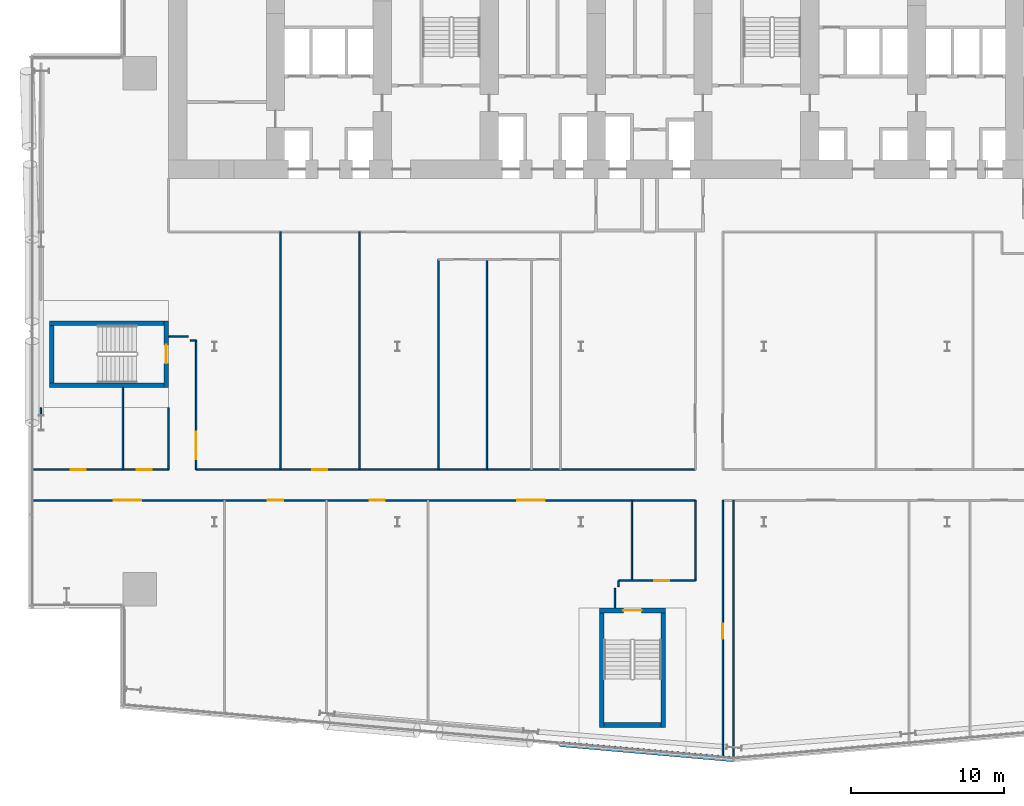
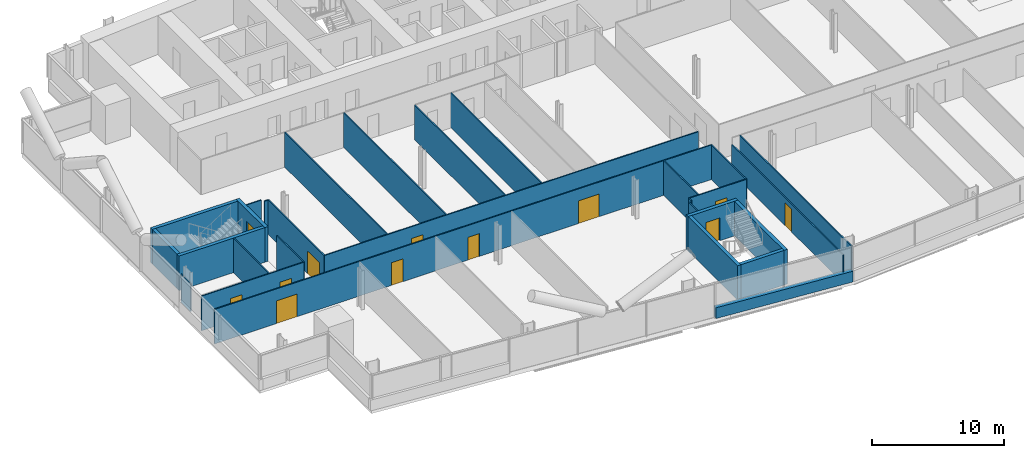
# One storey, part 13 of 27: 29 walls, 12 doors, 12 openings.
"""IFC4 building model written with IfcOpenShell, lengths in metres."""

from ifc_helpers import new_model, si_unit, direction, frame, frame_2d, origin, place, context, subcontext, project, spatial, rectangle, extrude, material, layer, layer_set, type_object, element, fill, save


model = new_model("IFC4")

# Units and contexts
model_context = context("Model", 3, precision=1e-05, world=origin(), true_north=direction((0.0, 1.0)))
body_context = subcontext(model_context, "Body", "Model", "MODEL_VIEW")
ifc_project = project(units=[si_unit("LENGTHUNIT", "METRE"), si_unit("AREAUNIT", "SQUARE_METRE"), si_unit("VOLUMEUNIT", "CUBIC_METRE"), si_unit("PLANEANGLEUNIT", "RADIAN"), si_unit("MASSUNIT", "GRAM", prefix="KILO")], contexts=[model_context])

# Site, building, storey
site_placement = place(None, origin())
site = spatial("IfcSite", under=ifc_project, at=site_placement, CompositionType="ELEMENT")
building_placement = place(site_placement, origin())
building = spatial("IfcBuilding", under=site, at=building_placement, Name="Wharfspan Tower", CompositionType="ELEMENT")
storey_placement = place(building_placement, frame((0.0, 0.0, 84.699951)))
storey = spatial("IfcBuildingStorey", under=building, at=storey_placement, Name="L18", CompositionType="ELEMENT", Elevation=84.699951)

# Wall, openings, doors
ifc_material_1 = material(Name="Gypsum board on steel studs", Category="steel")
ifc_layer_1 = layer(ifc_material_1, 0.100098)
ifc_layer_set_1 = layer_set([ifc_layer_1], Name="Gypsum board on steel studs")
wall_type_1 = type_object("IfcWallType", Name="Compartment wall 100 EI 60", PredefinedType="PARTITIONING", material=ifc_layer_set_1)
wall_1_placement = place(storey_placement, frame((0.02002, 12.925049, 0.0), z_axis=(0.0, 0.0, 1.0), x_axis=(1.0, 0.0, 0.0)))
wall_1 = element("IfcWall", 1, at=wall_1_placement, inside=storey, type_object=wall_type_1, Name="Partition L18.w001", PredefinedType="PARTITIONING", context=body_context, shape_type="SweptSolid", body=[
    extrude(rectangle(XDim=43.47998, YDim=0.100098, at=frame_2d((21.73999, 0.0))), origin(), (0.0, 0.0, 1.0), 3.199951),
])
opening_1_placement = place(wall_1_placement, frame((5.405029, 0.0, 0.0)))
opening_1 = element("IfcOpeningElement", 2, at=opening_1_placement, cuts=wall_1, Name="Opening A5-03", PredefinedType="OPENING", context=body_context, shape_type="SweptSolid", body=[
    extrude(rectangle(XDim=1.800049, YDim=2.100098, at=frame_2d((0.899902, 1.050049))), frame((0.0, 0.060059, 0.0), z_axis=(0.0, -1.0, 0.0), x_axis=(1.0, 0.0, 0.0)), (0.0, 0.0, 1.0), 0.120117),
])
opening_2_placement = place(wall_1_placement, frame((15.475098, 0.0, 0.0)))
opening_2 = element("IfcOpeningElement", 3, at=opening_2_placement, cuts=wall_1, Name="Opening A5-04", PredefinedType="OPENING", context=body_context, shape_type="SweptSolid", body=[
    extrude(rectangle(XDim=1.0, YDim=2.100098, at=frame_2d((0.5, 1.050049))), frame((0.0, 0.060059, 0.0), z_axis=(0.0, -1.0, 0.0), x_axis=(1.0, 0.0, 0.0)), (0.0, 0.0, 1.0), 0.120117),
])
opening_3_placement = place(wall_1_placement, frame((22.139893, 0.0, 0.0)))
opening_3 = element("IfcOpeningElement", 4, at=opening_3_placement, cuts=wall_1, Name="Opening A5-05", PredefinedType="OPENING", context=body_context, shape_type="SweptSolid", body=[
    extrude(rectangle(XDim=1.0, YDim=2.100098, at=frame_2d((0.5, 1.050049))), frame((0.0, 0.060059, 0.0), z_axis=(0.0, -1.0, 0.0), x_axis=(1.0, 0.0, 0.0)), (0.0, 0.0, 1.0), 0.120117),
])
opening_4_placement = place(wall_1_placement, frame((31.804932, 0.0, 0.0)))
opening_4 = element("IfcOpeningElement", 5, at=opening_4_placement, cuts=wall_1, Name="Opening A5-06", PredefinedType="OPENING", context=body_context, shape_type="SweptSolid", body=[
    extrude(rectangle(XDim=1.800049, YDim=2.100098, at=frame_2d((0.899902, 1.050049))), frame((0.0, 0.060059, 0.0), z_axis=(0.0, -1.0, 0.0), x_axis=(1.0, 0.0, 0.0)), (0.0, 0.0, 1.0), 0.120117),
])
ifc_material_2 = material(Name="Fire-rated timber door leaf in steel frame", Category="steel")
door_type_1 = type_object("IfcDoorType", Name="Door 1000 FD30S Left", OperationType="SINGLE_SWING_LEFT", PredefinedType="DOOR", material=ifc_material_2)
door_1_placement = place(opening_2_placement, origin())
door_1 = element("IfcDoor", 6, at=door_1_placement, inside=storey, type_object=door_type_1, Name="Door A5-04", OperationType="SINGLE_SWING_LEFT", OverallHeight=2.100098, OverallWidth=1.0, PredefinedType="DOOR", context=body_context, shape_type="SweptSolid", body=[
    extrude(rectangle(XDim=1.0, YDim=2.100098, at=frame_2d((0.5, 1.050049))), frame((0.0, 0.024902, 0.0), z_axis=(0.0, -1.0, 0.0), x_axis=(1.0, 0.0, 0.0)), (0.0, 0.0, 1.0), 0.050049),
])
fill(opening_2, door_1)
door_type_2 = type_object("IfcDoorType", Name="Door 1000 FD30S Right", OperationType="SINGLE_SWING_RIGHT", PredefinedType="DOOR", material=ifc_material_2)
door_2_placement = place(opening_3_placement, origin())
door_2 = element("IfcDoor", 7, at=door_2_placement, inside=storey, type_object=door_type_2, Name="Door A5-05", OperationType="SINGLE_SWING_RIGHT", OverallHeight=2.100098, OverallWidth=1.0, PredefinedType="DOOR", context=body_context, shape_type="SweptSolid", body=[
    extrude(rectangle(XDim=1.0, YDim=2.100098, at=frame_2d((0.5, 1.050049))), frame((0.0, 0.024902, 0.0), z_axis=(0.0, -1.0, 0.0), x_axis=(1.0, 0.0, 0.0)), (0.0, 0.0, 1.0), 0.050049),
])
fill(opening_3, door_2)
door_type_3 = type_object("IfcDoorType", Name="Door 1800 FD30S Double", OperationType="DOUBLE_DOOR_SINGLE_SWING", PredefinedType="DOOR", material=ifc_material_2)
door_3_placement = place(opening_1_placement, origin())
door_3 = element("IfcDoor", 8, at=door_3_placement, inside=storey, type_object=door_type_3, Name="Door A5-03", OperationType="DOUBLE_DOOR_SINGLE_SWING", OverallHeight=2.100098, OverallWidth=1.800049, PredefinedType="DOOR", context=body_context, shape_type="SweptSolid", body=[
    extrude(rectangle(XDim=1.800049, YDim=2.100098, at=frame_2d((0.899902, 1.050049))), frame((0.0, 0.024902, 0.0), z_axis=(0.0, -1.0, 0.0), x_axis=(1.0, 0.0, 0.0)), (0.0, 0.0, 1.0), 0.050049),
])
fill(opening_1, door_3)
door_4_placement = place(opening_4_placement, origin())
door_4 = element("IfcDoor", 9, at=door_4_placement, inside=storey, type_object=door_type_3, Name="Door A5-06", OperationType="DOUBLE_DOOR_SINGLE_SWING", OverallHeight=2.100098, OverallWidth=1.800049, PredefinedType="DOOR", context=body_context, shape_type="SweptSolid", body=[
    extrude(rectangle(XDim=1.800049, YDim=2.100098, at=frame_2d((0.899902, 1.050049))), frame((0.0, 0.024902, 0.0), z_axis=(0.0, -1.0, 0.0), x_axis=(1.0, 0.0, 0.0)), (0.0, 0.0, 1.0), 0.050049),
])
fill(opening_4, door_4)

wall_2_placement = place(storey_placement, frame((0.02002, 14.929932, 0.0), z_axis=(0.0, 0.0, 1.0), x_axis=(1.0, 0.0, 0.0)))
wall_2 = element("IfcWall", 10, at=wall_2_placement, inside=storey, type_object=wall_type_1, Name="Partition L18.w002", PredefinedType="PARTITIONING", context=body_context, shape_type="SweptSolid", body=[
    extrude(rectangle(XDim=8.97998, YDim=0.100098, at=frame_2d((4.48999, 0.0))), origin(), (0.0, 0.0, 1.0), 3.199951),
])
opening_5_placement = place(wall_2_placement, frame((2.560059, 0.0, 0.0)))
opening_5 = element("IfcOpeningElement", 11, at=opening_5_placement, cuts=wall_2, Name="Opening A5-12", PredefinedType="OPENING", context=body_context, shape_type="SweptSolid", body=[
    extrude(rectangle(XDim=1.0, YDim=2.100098, at=frame_2d((0.5, 1.050049))), frame((0.0, 0.060059, 0.0), z_axis=(0.0, -1.0, 0.0), x_axis=(1.0, 0.0, 0.0)), (0.0, 0.0, 1.0), 0.120117),
])
opening_6_placement = place(wall_2_placement, frame((6.879883, 0.0, 0.0)))
opening_6 = element("IfcOpeningElement", 12, at=opening_6_placement, cuts=wall_2, Name="Opening A5-13", PredefinedType="OPENING", context=body_context, shape_type="SweptSolid", body=[
    extrude(rectangle(XDim=1.0, YDim=2.100098, at=frame_2d((0.5, 1.050049))), frame((0.0, 0.060059, 0.0), z_axis=(0.0, -1.0, 0.0), x_axis=(1.0, 0.0, 0.0)), (0.0, 0.0, 1.0), 0.120117),
])
door_5_placement = place(opening_5_placement, origin())
door_5 = element("IfcDoor", 13, at=door_5_placement, inside=storey, type_object=door_type_1, Name="Door A5-12", OperationType="SINGLE_SWING_LEFT", OverallHeight=2.100098, OverallWidth=1.0, PredefinedType="DOOR", context=body_context, shape_type="SweptSolid", body=[
    extrude(rectangle(XDim=1.0, YDim=2.100098, at=frame_2d((0.5, 1.050049))), frame((0.0, 0.024902, 0.0), z_axis=(0.0, -1.0, 0.0), x_axis=(1.0, 0.0, 0.0)), (0.0, 0.0, 1.0), 0.050049),
])
fill(opening_5, door_5)
door_6_placement = place(opening_6_placement, origin())
door_6 = element("IfcDoor", 14, at=door_6_placement, inside=storey, type_object=door_type_2, Name="Door A5-13", OperationType="SINGLE_SWING_RIGHT", OverallHeight=2.100098, OverallWidth=1.0, PredefinedType="DOOR", context=body_context, shape_type="SweptSolid", body=[
    extrude(rectangle(XDim=1.0, YDim=2.100098, at=frame_2d((0.5, 1.050049))), frame((0.0, 0.024902, 0.0), z_axis=(0.0, -1.0, 0.0), x_axis=(1.0, 0.0, 0.0)), (0.0, 0.0, 1.0), 0.050049),
])
fill(opening_6, door_6)

# Walls
wall_3_placement = place(storey_placement, frame((6.0, 14.929932, 0.0), z_axis=(0.0, 0.0, 1.0), x_axis=(0.0, 1.0, 0.0)))
element("IfcWall", 15, at=wall_3_placement, inside=storey, type_object=wall_type_1, Name="Partition L18.w006", PredefinedType="PARTITIONING", context=body_context, shape_type="SweptSolid", body=[
    extrude(rectangle(XDim=5.39502, YDim=0.100098, at=frame_2d((2.69751, 0.0))), origin(), (0.0, 0.0, 1.0), 3.199951),
])
wall_4_placement = place(storey_placement, frame((9.0, 14.929932, 0.0), z_axis=(0.0, 0.0, 1.0), x_axis=(0.0, 1.0, 0.0)))
element("IfcWall", 16, at=wall_4_placement, inside=storey, type_object=wall_type_1, Name="Partition L18.w007", PredefinedType="PARTITIONING", context=body_context, shape_type="SweptSolid", body=[
    extrude(rectangle(XDim=4.050049, YDim=0.100098, at=frame_2d((2.024902, 0.0))), origin(), (0.0, 0.0, 1.0), 3.199951),
])
wall_5_placement = place(storey_placement, frame((9.02002, 23.649902, 0.0), z_axis=(0.0, 0.0, 1.0), x_axis=(1.0, 0.0, 0.0)))
element("IfcWall", 17, at=wall_5_placement, inside=storey, type_object=wall_type_1, Name="Partition L18.w010", PredefinedType="PARTITIONING", context=body_context, shape_type="SweptSolid", body=[
    extrude(rectangle(XDim=1.280029, YDim=0.100098, at=frame_2d((0.640137, 0.0))), origin(), (0.0, 0.0, 1.0), 3.199951),
])
wall_6_placement = place(storey_placement, frame((10.419922, 23.399902, 0.0), z_axis=(0.0, 0.0, 1.0), x_axis=(1.0, 0.0, 0.0)))
element("IfcWall", 18, at=wall_6_placement, inside=storey, type_object=wall_type_1, Name="Partition L18.w011", PredefinedType="PARTITIONING", context=body_context, shape_type="SweptSolid", body=[
    extrude(rectangle(XDim=0.380127, YDim=0.100098, at=frame_2d((0.189941, 0.0))), origin(), (0.0, 0.0, 1.0), 3.199951),
])

# Wall, opening, door
wall_7_placement = place(storey_placement, frame((10.800049, 14.929932, 0.0), z_axis=(0.0, 0.0, 1.0), x_axis=(0.0, 1.0, 0.0)))
wall_7 = element("IfcWall", 19, at=wall_7_placement, inside=storey, type_object=wall_type_1, Name="Partition L18.w012", PredefinedType="PARTITIONING", context=body_context, shape_type="SweptSolid", body=[
    extrude(rectangle(XDim=8.469971, YDim=0.100098, at=frame_2d((4.234863, 0.0))), origin(), (0.0, 0.0, 1.0), 3.199951),
])
opening_7_placement = place(wall_7_placement, frame((0.685059, 0.0, 0.0)))
opening_7 = element("IfcOpeningElement", 20, at=opening_7_placement, cuts=wall_7, Name="Opening A5-18", PredefinedType="OPENING", context=body_context, shape_type="SweptSolid", body=[
    extrude(rectangle(XDim=1.800049, YDim=2.100098, at=frame_2d((0.899902, 1.050049))), frame((0.0, 0.060059, 0.0), z_axis=(0.0, -1.0, 0.0), x_axis=(1.0, 0.0, 0.0)), (0.0, 0.0, 1.0), 0.120117),
])
door_7_placement = place(opening_7_placement, origin())
door_7 = element("IfcDoor", 21, at=door_7_placement, inside=storey, type_object=door_type_3, Name="Door A5-18", OperationType="DOUBLE_DOOR_SINGLE_SWING", OverallHeight=2.100098, OverallWidth=1.800049, PredefinedType="DOOR", context=body_context, shape_type="SweptSolid", body=[
    extrude(rectangle(XDim=1.800049, YDim=2.100098, at=frame_2d((0.899902, 1.050049))), frame((0.0, 0.024902, 0.0), z_axis=(0.0, -1.0, 0.0), x_axis=(1.0, 0.0, 0.0)), (0.0, 0.0, 1.0), 0.050049),
])
fill(opening_7, door_7)

wall_8_placement = place(storey_placement, frame((10.800049, 14.929932, 0.0), z_axis=(0.0, 0.0, 1.0), x_axis=(1.0, 0.0, 0.0)))
wall_8 = element("IfcWall", 22, at=wall_8_placement, inside=storey, type_object=wall_type_1, Name="Partition L18.w013", PredefinedType="PARTITIONING", context=body_context, shape_type="SweptSolid", body=[
    extrude(rectangle(XDim=32.699951, YDim=0.100098, at=frame_2d((16.350098, 0.0))), origin(), (0.0, 0.0, 1.0), 3.199951),
])
opening_8_placement = place(wall_8_placement, frame((7.600098, 0.0, 0.0)))
opening_8 = element("IfcOpeningElement", 23, at=opening_8_placement, cuts=wall_8, Name="Opening A5-14", PredefinedType="OPENING", context=body_context, shape_type="SweptSolid", body=[
    extrude(rectangle(XDim=1.0, YDim=2.100098, at=frame_2d((0.5, 1.050049))), frame((0.0, 0.060059, 0.0), z_axis=(0.0, -1.0, 0.0), x_axis=(1.0, 0.0, 0.0)), (0.0, 0.0, 1.0), 0.120117),
])
door_8_placement = place(opening_8_placement, origin())
door_8 = element("IfcDoor", 24, at=door_8_placement, inside=storey, type_object=door_type_1, Name="Door A5-14", OperationType="SINGLE_SWING_LEFT", OverallHeight=2.100098, OverallWidth=1.0, PredefinedType="DOOR", context=body_context, shape_type="SweptSolid", body=[
    extrude(rectangle(XDim=1.0, YDim=2.100098, at=frame_2d((0.5, 1.050049))), frame((0.0, 0.024902, 0.0), z_axis=(0.0, -1.0, 0.0), x_axis=(1.0, 0.0, 0.0)), (0.0, 0.0, 1.0), 0.050049),
])
fill(opening_8, door_8)

# Walls
for number, where, z_axis, x_axis, name in (
    (25, (16.334961, 14.929932, 0.0), (0.0, 0.0, 1.0), (0.0, 1.0, 0.0), "Partition L18.w015"),
    (26, (21.5, 14.929932, 0.0), (0.0, 0.0, 1.0), (0.0, 1.0, 0.0), "Partition L18.w017"),
):
    element("IfcWall", number, at=place(storey_placement, frame(where, z_axis=z_axis, x_axis=x_axis)), inside=storey, type_object=wall_type_1, Name=name, PredefinedType="PARTITIONING", context=body_context, shape_type="SweptSolid", body=[
        extrude(rectangle(XDim=15.570068, YDim=0.100098, at=frame_2d((7.785156, 0.0))), origin(), (0.0, 0.0, 1.0), 3.199951),
    ])
for number, where, z_axis, x_axis, name in (
    (27, (26.665039, 14.929932, 0.0), (0.0, 0.0, 1.0), (0.0, 1.0, 0.0), "Partition L18.w019"),
    (28, (29.840088, 14.929932, 0.0), (0.0, 0.0, 1.0), (0.0, 1.0, 0.0), "Partition L18.w021"),
):
    element("IfcWall", number, at=place(storey_placement, frame(where, z_axis=z_axis, x_axis=x_axis)), inside=storey, type_object=wall_type_1, Name=name, PredefinedType="PARTITIONING", context=body_context, shape_type="SweptSolid", body=[
        extrude(rectangle(XDim=13.77002, YDim=0.100098, at=frame_2d((6.88501, 0.0))), origin(), (0.0, 0.0, 1.0), 3.199951),
    ])
wall_9_placement = place(storey_placement, frame((38.22998, 5.880615, 0.0), z_axis=(0.0, 0.0, 1.0), x_axis=(0.0, 1.0, 0.0)))
element("IfcWall", 29, at=wall_9_placement, inside=storey, type_object=wall_type_1, Name="Partition L18.w025", PredefinedType="PARTITIONING", context=body_context, shape_type="SweptSolid", body=[
    extrude(rectangle(XDim=1.279297, YDim=0.100098, at=frame_2d((0.639648, 0.0))), origin(), (0.0, 0.0, 1.0), 3.199951),
])
wall_10_placement = place(storey_placement, frame((38.47998, 7.280029, 0.0), z_axis=(0.0, 0.0, 1.0), x_axis=(0.0, 1.0, 0.0)))
element("IfcWall", 30, at=wall_10_placement, inside=storey, type_object=wall_type_1, Name="Partition L18.w026", PredefinedType="PARTITIONING", context=body_context, shape_type="SweptSolid", body=[
    extrude(rectangle(XDim=0.379883, YDim=0.100098, at=frame_2d((0.189941, 0.0))), origin(), (0.0, 0.0, 1.0), 3.199951),
])

# Wall, opening, door
wall_11_placement = place(storey_placement, frame((38.485107, 7.659912, 0.0), z_axis=(0.0, 0.0, 1.0), x_axis=(1.0, 0.0, 0.0)))
wall_11 = element("IfcWall", 31, at=wall_11_placement, inside=storey, type_object=wall_type_1, Name="Partition L18.w027", PredefinedType="PARTITIONING", context=body_context, shape_type="SweptSolid", body=[
    extrude(rectangle(XDim=5.014893, YDim=0.100098, at=frame_2d((2.507324, 0.0))), origin(), (0.0, 0.0, 1.0), 3.199951),
])
opening_9_placement = place(wall_11_placement, frame((2.314941, 0.0, 0.0)))
opening_9 = element("IfcOpeningElement", 32, at=opening_9_placement, cuts=wall_11, Name="Opening A5-02", PredefinedType="OPENING", context=body_context, shape_type="SweptSolid", body=[
    extrude(rectangle(XDim=1.0, YDim=2.100098, at=frame_2d((0.5, 1.050049))), frame((0.0, 0.060059, 0.0), z_axis=(0.0, -1.0, 0.0), x_axis=(1.0, 0.0, 0.0)), (0.0, 0.0, 1.0), 0.120117),
])
door_9_placement = place(opening_9_placement, origin())
door_9 = element("IfcDoor", 33, at=door_9_placement, inside=storey, type_object=door_type_2, Name="Door A5-02", OperationType="SINGLE_SWING_RIGHT", OverallHeight=2.100098, OverallWidth=1.0, PredefinedType="DOOR", context=body_context, shape_type="SweptSolid", body=[
    extrude(rectangle(XDim=1.0, YDim=2.100098, at=frame_2d((0.5, 1.050049))), frame((0.0, 0.024902, 0.0), z_axis=(0.0, -1.0, 0.0), x_axis=(1.0, 0.0, 0.0)), (0.0, 0.0, 1.0), 0.050049),
])
fill(opening_9, door_9)

# Walls
for number, where, z_axis, x_axis, name in (
    (34, (39.334961, 7.659912, 0.0), (0.0, 0.0, 1.0), (0.0, 1.0, 0.0), "Partition L18.w028"),
    (35, (43.5, 7.659912, 0.0), (0.0, 0.0, 1.0), (0.0, 1.0, 0.0), "Partition L18.w029"),
):
    element("IfcWall", number, at=place(storey_placement, frame(where, z_axis=z_axis, x_axis=x_axis)), inside=storey, type_object=wall_type_1, Name=name, PredefinedType="PARTITIONING", context=body_context, shape_type="SweptSolid", body=[
        extrude(rectangle(XDim=5.265137, YDim=0.100098, at=frame_2d((2.632568, 0.0))), origin(), (0.0, 0.0, 1.0), 3.199951),
    ])

# Wall, opening, door
wall_12_placement = place(storey_placement, frame((45.300049, -3.943115, 0.0), z_axis=(0.0, 0.0, 1.0), x_axis=(0.0, 1.0, 0.0)))
wall_12 = element("IfcWall", 36, at=wall_12_placement, inside=storey, type_object=wall_type_1, Name="Partition L18.w031", PredefinedType="PARTITIONING", context=body_context, shape_type="SweptSolid", body=[
    extrude(rectangle(XDim=16.868164, YDim=0.100098, at=frame_2d((8.434082, 0.0))), origin(), (0.0, 0.0, 1.0), 2.580078),
])
opening_10_placement = place(wall_12_placement, frame((7.798096, 0.0, 0.0)))
opening_10 = element("IfcOpeningElement", 37, at=opening_10_placement, cuts=wall_12, Name="Opening A5-01", PredefinedType="OPENING", context=body_context, shape_type="SweptSolid", body=[
    extrude(rectangle(XDim=1.0, YDim=2.100098, at=frame_2d((0.5, 1.050049))), frame((0.0, 0.060059, 0.0), z_axis=(0.0, -1.0, 0.0), x_axis=(1.0, 0.0, 0.0)), (0.0, 0.0, 1.0), 0.120117),
])
door_10_placement = place(opening_10_placement, origin())
door_10 = element("IfcDoor", 38, at=door_10_placement, inside=storey, type_object=door_type_1, Name="Door A5-01", OperationType="SINGLE_SWING_LEFT", OverallHeight=2.100098, OverallWidth=1.0, PredefinedType="DOOR", context=body_context, shape_type="SweptSolid", body=[
    extrude(rectangle(XDim=1.0, YDim=2.100098, at=frame_2d((0.5, 1.050049))), frame((0.0, 0.024902, 0.0), z_axis=(0.0, -1.0, 0.0), x_axis=(1.0, 0.0, 0.0)), (0.0, 0.0, 1.0), 0.050049),
])
fill(opening_10, door_10)

# Walls
wall_13_placement = place(storey_placement, frame((46.0, -4.004395, 0.0), z_axis=(0.0, 0.0, 1.0), x_axis=(0.0, 1.0, 0.0)))
element("IfcWall", 39, at=wall_13_placement, inside=storey, type_object=wall_type_1, Name="Partition L18.w036", PredefinedType="PARTITIONING", context=body_context, shape_type="SweptSolid", body=[
    extrude(rectangle(XDim=16.929443, YDim=0.100098, at=frame_2d((8.464844, 0.0))), origin(), (0.0, 0.0, 1.0), 3.199951),
])
ifc_layer_2 = layer(ifc_material_1, 0.100098)
ifc_layer_set_2 = layer_set([ifc_layer_2], Name="Gypsum board on steel studs")
wall_type_2 = type_object("IfcWallType", Name="Partition 100", PredefinedType="PARTITIONING", material=ifc_layer_set_2)
wall_14_placement = place(storey_placement, frame((0.629883, 17.5, 0.0), z_axis=(0.0, 0.0, 1.0), x_axis=(0.0, 1.0, 0.0)))
element("IfcWall", 40, at=wall_14_placement, inside=storey, type_object=wall_type_2, Name="Partition L18.w003", PredefinedType="PARTITIONING", context=body_context, shape_type="SweptSolid", body=[
    extrude(rectangle(XDim=1.47998, YDim=0.100098, at=frame_2d((0.73999, 0.0))), origin(), (0.0, 0.0, 1.0), 2.580078),
])
ifc_material_3 = material(Name="Concrete C40/50", Category="concrete")
ifc_layer_3 = layer(ifc_material_3, 0.350098)
ifc_layer_set_3 = layer_set([ifc_layer_3], Name="Concrete C40/50")
wall_type_3 = type_object("IfcWallType", Name="SPANDREL EXPOSED CONCRETE 350", PredefinedType="SOLIDWALL", material=ifc_layer_set_3)
wall_15_placement = place(storey_placement, frame((34.60083, -3.032227, 0.0), z_axis=(0.0, 0.0, 1.0), x_axis=(0.996193, -0.087148, 0.0)))
element("IfcWall", 41, at=wall_15_placement, inside=storey, type_object=wall_type_3, Name="Spandrel upstand L18 S1 2", PredefinedType="SOLIDWALL", context=body_context, shape_type="SweptSolid", body=[
    extrude(rectangle(XDim=11.458008, YDim=0.350098, at=frame_2d((5.729004, 0.0))), origin(), (0.0, 0.0, 1.0), 1.0),
])

# Wall, opening, door
ifc_layer_4 = layer(ifc_material_3, 0.300049)
ifc_layer_set_4 = layer_set([ifc_layer_4], Name="Concrete C40/50")
wall_type_4 = type_object("IfcWallType", Name="Stair core wall 300", PredefinedType="SHEAR", material=ifc_layer_set_4)
wall_16_placement = place(storey_placement, frame((8.850098, 20.324951, 0.0), z_axis=(0.0, 0.0, 1.0), x_axis=(0.0, 1.0, 0.0)))
wall_16 = element("IfcWall", 42, at=wall_16_placement, inside=storey, type_object=wall_type_4, Name="ST3 stair enclosure wall L18", PredefinedType="SHEAR", context=body_context, shape_type="SweptSolid", body=[
    extrude(rectangle(XDim=4.350098, YDim=0.300049, at=frame_2d((2.175049, 0.0))), origin(), (0.0, 0.0, 1.0), 3.199951),
])
opening_11_placement = place(wall_16_placement, frame((1.574951, 0.0, 0.0)))
opening_11 = element("IfcOpeningElement", 43, at=opening_11_placement, cuts=wall_16, Name="Opening SD3.L18", PredefinedType="OPENING", context=body_context, shape_type="SweptSolid", body=[
    extrude(rectangle(XDim=1.199951, YDim=2.100098, at=frame_2d((0.600098, 1.050049))), frame((0.0, 0.159912, 0.0), z_axis=(0.0, -1.0, 0.0), x_axis=(1.0, 0.0, 0.0)), (0.0, 0.0, 1.0), 0.320068),
])
ifc_material_4 = material(Name="Steel door leaf", Category="steel")
door_type_4 = type_object("IfcDoorType", Name="Stair door 1200x2100", OperationType="SINGLE_SWING_LEFT", PredefinedType="DOOR", material=ifc_material_4)
door_11_placement = place(opening_11_placement, origin())
door_11 = element("IfcDoor", 44, at=door_11_placement, inside=storey, type_object=door_type_4, Name="sd:L18:ST3z1", OperationType="SINGLE_SWING_RIGHT", OverallHeight=2.100098, OverallWidth=1.199951, PredefinedType="DOOR", context=body_context, shape_type="SweptSolid", body=[
    extrude(rectangle(XDim=1.199951, YDim=2.100098, at=frame_2d((0.600098, 1.050049))), frame((0.0, 0.024902, 0.0), z_axis=(0.0, -1.0, 0.0), x_axis=(1.0, 0.0, 0.0)), (0.0, 0.0, 1.0), 0.050049),
])
fill(opening_11, door_11)

wall_17_placement = place(storey_placement, frame((37.208252, 5.710693, 0.0), z_axis=(0.0, 0.0, 1.0), x_axis=(1.0, 0.0, 0.0)))
wall_17 = element("IfcWall", 45, at=wall_17_placement, inside=storey, type_object=wall_type_4, Name="ST4 stair enclosure wall L18", PredefinedType="SHEAR", context=body_context, shape_type="SweptSolid", body=[
    extrude(rectangle(XDim=4.350098, YDim=0.300049, at=frame_2d((2.175049, 0.0))), origin(), (0.0, 0.0, 1.0), 3.199951),
])
opening_12_placement = place(wall_17_placement, frame((1.574951, 0.0, 0.0)))
opening_12 = element("IfcOpeningElement", 46, at=opening_12_placement, cuts=wall_17, Name="Opening SD4.L18", PredefinedType="OPENING", context=body_context, shape_type="SweptSolid", body=[
    extrude(rectangle(XDim=1.199951, YDim=2.100098, at=frame_2d((0.600098, 1.050049))), frame((0.0, 0.159912, 0.0), z_axis=(0.0, -1.0, 0.0), x_axis=(1.0, 0.0, 0.0)), (0.0, 0.0, 1.0), 0.320068),
])
door_12_placement = place(opening_12_placement, origin())
door_12 = element("IfcDoor", 47, at=door_12_placement, inside=storey, type_object=door_type_4, Name="sd:L18:ST4z1", OperationType="SINGLE_SWING_RIGHT", OverallHeight=2.100098, OverallWidth=1.199951, PredefinedType="DOOR", context=body_context, shape_type="SweptSolid", body=[
    extrude(rectangle(XDim=1.199951, YDim=2.100098, at=frame_2d((0.600098, 1.050049))), frame((0.0, 0.024902, 0.0), z_axis=(0.0, -1.0, 0.0), x_axis=(1.0, 0.0, 0.0)), (0.0, 0.0, 1.0), 0.050049),
])
fill(opening_12, door_12)

# Walls
for number, where, z_axis, x_axis, name in (
    (48, (1.199951, 20.475098, 0.0), (0.0, 0.0, 1.0), (1.0, 0.0, 0.0), "ST3 stair enclosure wall L18"),
    (49, (1.199951, 24.524902, 0.0), (0.0, 0.0, 1.0), (1.0, 0.0, 0.0), "ST3 stair enclosure wall L18"),
):
    element("IfcWall", number, at=place(storey_placement, frame(where, z_axis=z_axis, x_axis=x_axis)), inside=storey, type_object=wall_type_4, Name=name, PredefinedType="SHEAR", context=body_context, shape_type="SweptSolid", body=[
        extrude(rectangle(XDim=7.5, YDim=0.300049, at=frame_2d((3.75, 0.0))), origin(), (0.0, 0.0, 1.0), 3.199951),
    ])
wall_18_placement = place(storey_placement, frame((1.350098, 20.625, 0.0), z_axis=(0.0, 0.0, 1.0), x_axis=(0.0, 1.0, 0.0)))
element("IfcWall", 50, at=wall_18_placement, inside=storey, type_object=wall_type_4, Name="ST3 stair enclosure wall L18", PredefinedType="SHEAR", context=body_context, shape_type="SweptSolid", body=[
    extrude(rectangle(XDim=3.75, YDim=0.300049, at=frame_2d((1.875, 0.0))), origin(), (0.0, 0.0, 1.0), 3.199951),
])
for number, where, z_axis, x_axis, name in (
    (51, (37.358398, -1.939453, 0.0), (0.0, 0.0, 1.0), (0.0, 1.0, 0.0), "ST4 stair enclosure wall L18"),
    (52, (41.408203, -1.939453, 0.0), (0.0, 0.0, 1.0), (0.0, 1.0, 0.0), "ST4 stair enclosure wall L18"),
):
    element("IfcWall", number, at=place(storey_placement, frame(where, z_axis=z_axis, x_axis=x_axis)), inside=storey, type_object=wall_type_4, Name=name, PredefinedType="SHEAR", context=body_context, shape_type="SweptSolid", body=[
        extrude(rectangle(XDim=7.5, YDim=0.300049, at=frame_2d((3.75, 0.0))), origin(), (0.0, 0.0, 1.0), 3.199951),
    ])
wall_19_placement = place(storey_placement, frame((37.508301, -1.789307, 0.0), z_axis=(0.0, 0.0, 1.0), x_axis=(1.0, 0.0, 0.0)))
element("IfcWall", 53, at=wall_19_placement, inside=storey, type_object=wall_type_4, Name="ST4 stair enclosure wall L18", PredefinedType="SHEAR", context=body_context, shape_type="SweptSolid", body=[
    extrude(rectangle(XDim=3.75, YDim=0.300049, at=frame_2d((1.875, 0.0))), origin(), (0.0, 0.0, 1.0), 3.199951),
])

save(model, "model.ifc")
